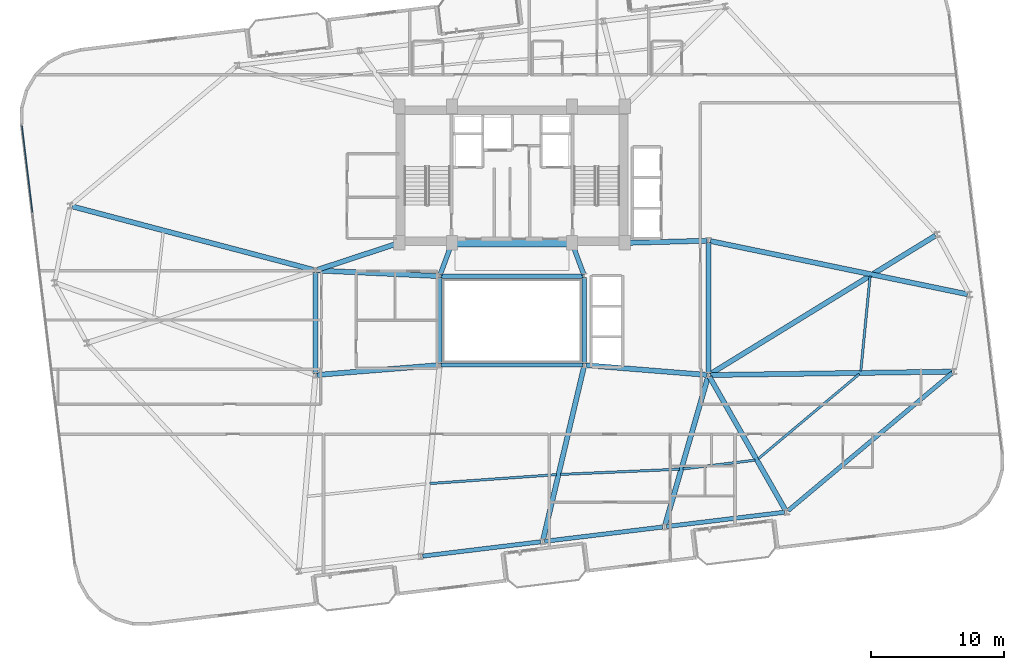
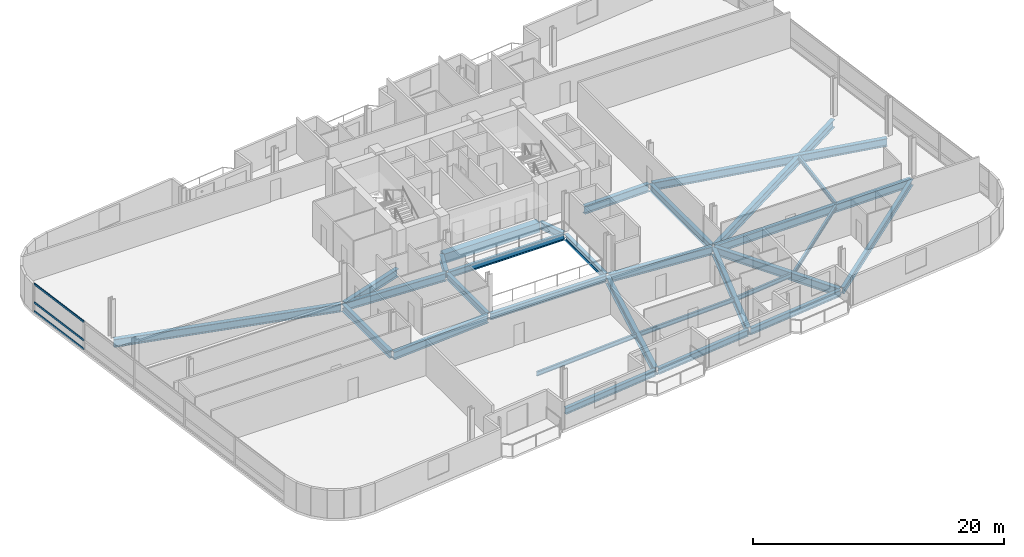
# One storey, part 7 of 22: 30 beams, 3 members, 1 element without a shape of its own.
"""IFC4 building model written with IfcOpenShell, lengths in metres."""

from ifc_helpers import new_model, si_unit, direction, frame, origin, origin_2d, place, context, subcontext, project, spatial, rectangle, hollow_rectangle, i_section, extrude, material, layer, layer_set, material_profile, profile_set, type_object, element, aggregate, save


model = new_model("IFC4")

# Units and contexts
model_context = context("Model", 3, precision=1e-05, world=origin(), true_north=direction((0.0, 1.0)))
body_context = subcontext(model_context, "Body", "Model", "MODEL_VIEW")
ifc_project = project(units=[si_unit("LENGTHUNIT", "METRE"), si_unit("AREAUNIT", "SQUARE_METRE"), si_unit("VOLUMEUNIT", "CUBIC_METRE"), si_unit("PLANEANGLEUNIT", "RADIAN"), si_unit("MASSUNIT", "GRAM", prefix="KILO")], contexts=[model_context])

# Site, building, storey
site_placement = place(None, origin())
site = spatial("IfcSite", under=ifc_project, at=site_placement, CompositionType="ELEMENT")
building_placement = place(site_placement, origin())
building = spatial("IfcBuilding", under=site, at=building_placement, Name="Varnelok Gate Tower", CompositionType="ELEMENT")
storey_placement = place(building_placement, frame((0.0, 0.0, 178.300048828125)))
storey = spatial("IfcBuildingStorey", under=building, at=storey_placement, Name="L45", CompositionType="ELEMENT", Elevation=178.300048828125)

# Beams
ifc_material_1 = material(Name="Structural Steel ASTM A992 Grade 50", Category="steel")
ifc_material_profile_1 = material_profile(ifc_material_1, i_section(OverallWidth=0.180908203125, OverallDepth=0.4169921875, WebThickness=0.010986328125, FlangeThickness=0.018310546875, FilletRadius=0.013916015625, at=origin_2d()), Name="W16X57")
ifc_profile_set_1 = profile_set([ifc_material_profile_1], Name="Structural Steel ASTM A992 Grade 50")
beam_type_1 = type_object("IfcBeamType", Name="BM-JST-W16X57", PredefinedType="JOIST", material=ifc_profile_set_1)
beam_1_placement = place(storey_placement, frame((33.00634765625, 10.62939453125, -0.45849609375), z_axis=(0.997546417642, 0.070008175598, 0.0), x_axis=(-0.070008175598, 0.997546417642, 0.0)))
element("IfcBeam", 1, at=beam_1_placement, inside=storey, type_object=beam_type_1, Name="L45 Sector Floor Joist 2", PredefinedType="JOIST", context=body_context, shape_type="SweptSolid", body=[
    extrude(i_section(OverallWidth=0.180908203125, OverallDepth=0.4169921875, WebThickness=0.010986328125, FlangeThickness=0.018310546875, FilletRadius=0.013916015625, at=origin_2d()), origin(), (0.0, 0.0, 1.0), 9.57958984375),
])
beam_2_placement = place(storey_placement, frame((42.841796875, 11.31591796875, -0.45849609375), z_axis=(0.99904059528, 0.043793709388, 0.0), x_axis=(-0.043793709388, 0.99904059528, 0.0)))
element("IfcBeam", 2, at=beam_2_placement, inside=storey, type_object=beam_type_1, Name="L45 Sector Floor Joist 3", PredefinedType="JOIST", context=body_context, shape_type="SweptSolid", body=[
    extrude(i_section(OverallWidth=0.180908203125, OverallDepth=0.4169921875, WebThickness=0.010986328125, FlangeThickness=0.018310546875, FilletRadius=0.013916015625, at=origin_2d()), origin(), (0.0, 0.0, 1.0), 8.975341796875),
])
beam_3_placement = place(storey_placement, frame((52.08740234375, 11.73193359375, -0.45849609375), z_axis=(0.992737021941, 0.120304635272, 0.0), x_axis=(-0.120304635272, 0.992737021941, 0.0)))
element("IfcBeam", 3, at=beam_3_placement, inside=storey, type_object=beam_type_1, Name="L45 Sector Floor Joist 4", PredefinedType="JOIST", context=body_context, shape_type="SweptSolid", body=[
    extrude(i_section(OverallWidth=0.180908203125, OverallDepth=0.4169921875, WebThickness=0.010986328125, FlangeThickness=0.018310546875, FilletRadius=0.013916015625, at=origin_2d()), origin(), (0.0, 0.0, 1.0), 5.454833984375),
])
beam_4_placement = place(storey_placement, frame((57.7490234375, 12.4951171875, -0.45849609375), z_axis=(0.76608872643, 0.642734831199, 0.0), x_axis=(-0.642734831199, 0.76608872643, 0.0)))
element("IfcBeam", 4, at=beam_4_placement, inside=storey, type_object=beam_type_1, Name="L45 Sector Floor Joist 5", PredefinedType="JOIST", context=body_context, shape_type="SweptSolid", body=[
    extrude(i_section(OverallWidth=0.180908203125, OverallDepth=0.4169921875, WebThickness=0.010986328125, FlangeThickness=0.018310546875, FilletRadius=0.013916015625, at=origin_2d()), origin(), (0.0, 0.0, 1.0), 9.919677734375),
])
beam_5_placement = place(storey_placement, frame((65.469482421875, 19.10009765625, -0.45849609375), z_axis=(0.097641950853, 0.995221608203, 0.0), x_axis=(-0.995221608203, 0.097641950853, 0.0)))
element("IfcBeam", 5, at=beam_5_placement, inside=storey, type_object=beam_type_1, Name="L45 Sector Floor Joist 6", PredefinedType="JOIST", context=body_context, shape_type="SweptSolid", body=[
    extrude(i_section(OverallWidth=0.180908203125, OverallDepth=0.4169921875, WebThickness=0.010986328125, FlangeThickness=0.018310546875, FilletRadius=0.013916015625, at=origin_2d()), origin(), (0.0, 0.0, 1.0), 7.193603515625),
])
ifc_material_2 = material(Name="Concrete C60/75", Category="concrete")
ifc_material_profile_2 = material_profile(ifc_material_2, rectangle(XDim=0.60009765625, YDim=0.949951171875, at=origin_2d()), Name="RC950X600")
ifc_profile_set_2 = profile_set([ifc_material_profile_2], Name="Concrete C60/75")
beam_type_2 = type_object("IfcBeamType", Name="BM-LNT-RC950", PredefinedType="LINTEL", material=ifc_profile_set_2)
beam_6_placement = place(storey_placement, frame((34.800048828125, 28.75, -0.72509765625), z_axis=(1.0, 0.0, 0.0), x_axis=(0.0, 1.0, 0.0)))
element("IfcBeam", 6, at=beam_6_placement, inside=storey, type_object=beam_type_2, Name="L45 Core-Atrium Spine Beam 7", PredefinedType="LINTEL", context=body_context, shape_type="SweptSolid", body=[
    extrude(rectangle(XDim=0.60009765625, YDim=0.949951171875, at=origin_2d()), origin(), (0.0, 0.0, 1.0), 8.800048828125),
])
ifc_material_profile_3 = material_profile(ifc_material_1, i_section(OverallWidth=0.35498046875, OverallDepth=0.696044921875, WebThickness=0.015380859375, FlangeThickness=0.02490234375, FilletRadius=0.02001953125, at=origin_2d()), Name="W27X146")
ifc_profile_set_3 = profile_set([ifc_material_profile_3], Name="Structural Steel ASTM A992 Grade 50")
beam_type_3 = type_object("IfcBeamType", Name="BM-PRI-W27X146", PredefinedType="BEAM", material=ifc_profile_set_3)
for number, where, z_axis, x_axis, name in (
    (7, (33.791748046875, 26.362548828125, -0.59814453125), (0.348719329408, 0.937227202602, 0.0), (-0.937227202602, 0.348719329408, 0.0), "L45 Core-Atrium Spine Beam 12"),
    (8, (44.608154296875, 26.362548828125, -0.59814453125), (-0.348719329408, 0.937227202602, 0.0), (-0.937227202602, -0.348719329408, 0.0), "L45 Core-Atrium Spine Beam 13"),
):
    element("IfcBeam", number, at=place(storey_placement, frame(where, z_axis=z_axis, x_axis=x_axis)), inside=storey, type_object=beam_type_3, Name=name, PredefinedType="BEAM", context=body_context, shape_type="SweptSolid", body=[
        extrude(i_section(OverallWidth=0.35498046875, OverallDepth=0.696044921875, WebThickness=0.015380859375, FlangeThickness=0.02490234375, FilletRadius=0.02001953125, at=origin_2d()), origin(), (0.0, 0.0, 1.0), 2.42724609375),
    ])
beam_7_placement = place(storey_placement, frame((24.39990234375, 18.919921875, -0.59814453125), z_axis=(0.0, 1.0, 0.0), x_axis=(-1.0, 0.0, 0.0)))
element("IfcBeam", 9, at=beam_7_placement, inside=storey, type_object=beam_type_3, Name="L45 Core-Atrium Spine Beam 16", PredefinedType="BEAM", context=body_context, shape_type="SweptSolid", body=[
    extrude(i_section(OverallWidth=0.35498046875, OverallDepth=0.696044921875, WebThickness=0.015380859375, FlangeThickness=0.02490234375, FilletRadius=0.02001953125, at=origin_2d()), origin(), (0.0, 0.0, 1.0), 7.64013671875),
])
beam_8_placement = place(storey_placement, frame((54.0, 18.919921875, -0.59814453125), z_axis=(0.0, 1.0, 0.0), x_axis=(-1.0, 0.0, 0.0)))
element("IfcBeam", 10, at=beam_8_placement, inside=storey, type_object=beam_type_3, Name="L45 Core-Atrium Spine Beam 20", PredefinedType="BEAM", context=body_context, shape_type="SweptSolid", body=[
    extrude(i_section(OverallWidth=0.35498046875, OverallDepth=0.696044921875, WebThickness=0.015380859375, FlangeThickness=0.02490234375, FilletRadius=0.02001953125, at=origin_2d()), origin(), (0.0, 0.0, 1.0), 9.880126953125),
])
ifc_material_profile_4 = material_profile(ifc_material_1, i_section(OverallWidth=0.381103515625, OverallDepth=0.77294921875, WebThickness=0.0166015625, FlangeThickness=0.027099609375, FilletRadius=0.02197265625, at=origin_2d()), Name="W30X173")
ifc_profile_set_4 = profile_set([ifc_material_profile_4], Name="Structural Steel ASTM A992 Grade 50")
beam_type_4 = type_object("IfcBeamType", Name="BM-PRI-W30X173", PredefinedType="BEAM", material=ifc_profile_set_4)
beam_9_placement = place(storey_placement, frame((24.51953125, 18.8095703125, -0.636474609375), z_axis=(0.996799206292, 0.07994587128, 0.0), x_axis=(-0.07994587128, 0.996799206292, 0.0)))
element("IfcBeam", 11, at=beam_9_placement, inside=storey, type_object=beam_type_4, Name="L45 Core-Atrium Spine Beam 14", PredefinedType="BEAM", context=body_context, shape_type="SweptSolid", body=[
    extrude(i_section(OverallWidth=0.381103515625, OverallDepth=0.77294921875, WebThickness=0.0166015625, FlangeThickness=0.027099609375, FilletRadius=0.02197265625, at=origin_2d()), origin(), (0.0, 0.0, 1.0), 9.14013671875),
])
beam_10_placement = place(storey_placement, frame((24.52001953125, 26.674560546875, -0.636474609375), z_axis=(0.99894427814, -0.045938319209, 0.0), x_axis=(0.045938319209, 0.99894427814, 0.0)))
element("IfcBeam", 12, at=beam_10_placement, inside=storey, type_object=beam_type_4, Name="L45 Core-Atrium Spine Beam 15", PredefinedType="BEAM", context=body_context, shape_type="SweptSolid", body=[
    extrude(i_section(OverallWidth=0.381103515625, OverallDepth=0.77294921875, WebThickness=0.0166015625, FlangeThickness=0.027099609375, FilletRadius=0.02197265625, at=origin_2d()), origin(), (0.0, 0.0, 1.0), 9.11962890625),
])
beam_11_placement = place(storey_placement, frame((24.513916015625, 26.717529296875, -0.636474609375), z_axis=(0.950041943788, 0.312122259768, 0.0), x_axis=(-0.312122259768, 0.950041943788, 0.0)))
element("IfcBeam", 13, at=beam_11_placement, inside=storey, type_object=beam_type_4, Name="L45 Core-Atrium Spine Beam 17", PredefinedType="BEAM", context=body_context, shape_type="SweptSolid", body=[
    extrude(i_section(OverallWidth=0.381103515625, OverallDepth=0.77294921875, WebThickness=0.0166015625, FlangeThickness=0.027099609375, FilletRadius=0.02197265625, at=origin_2d()), origin(), (0.0, 0.0, 1.0), 6.391357421875),
])
beam_12_placement = place(storey_placement, frame((44.76953125, 19.540283203125, -0.636474609375), z_axis=(0.996799206292, -0.07994587128, 0.0), x_axis=(0.07994587128, 0.996799206292, 0.0)))
element("IfcBeam", 14, at=beam_12_placement, inside=storey, type_object=beam_type_4, Name="L45 Core-Atrium Spine Beam 18", PredefinedType="BEAM", context=body_context, shape_type="SweptSolid", body=[
    extrude(i_section(OverallWidth=0.381103515625, OverallDepth=0.77294921875, WebThickness=0.0166015625, FlangeThickness=0.027099609375, FilletRadius=0.02197265625, at=origin_2d()), origin(), (0.0, 0.0, 1.0), 9.14013671875),
])
beam_13_placement = place(storey_placement, frame((47.820068359375, 28.753173828125, -0.636474609375), z_axis=(0.999635880609, 0.026983443053, 0.0), x_axis=(-0.026983443053, 0.999635880609, 0.0)))
element("IfcBeam", 15, at=beam_13_placement, inside=storey, type_object=beam_type_4, Name="L45 Core-Atrium Spine Beam 19", PredefinedType="BEAM", context=body_context, shape_type="SweptSolid", body=[
    extrude(i_section(OverallWidth=0.381103515625, OverallDepth=0.77294921875, WebThickness=0.0166015625, FlangeThickness=0.027099609375, FilletRadius=0.02197265625, at=origin_2d()), origin(), (0.0, 0.0, 1.0), 6.06201171875),
])
beam_14_placement = place(storey_placement, frame((44.615478515625, 19.404052734375, -0.636474609375), z_axis=(-0.230051892852, -0.973178363197, 0.0), x_axis=(0.973178363197, -0.230051892852, 0.0)))
element("IfcBeam", 16, at=beam_14_placement, inside=storey, type_object=beam_type_4, Name="L45 Radial Floor Girder 3", PredefinedType="BEAM", context=body_context, shape_type="SweptSolid", body=[
    extrude(i_section(OverallWidth=0.381103515625, OverallDepth=0.77294921875, WebThickness=0.0166015625, FlangeThickness=0.027099609375, FilletRadius=0.02197265625, at=origin_2d()), origin(), (0.0, 0.0, 1.0), 13.356689453125),
])
beam_15_placement = place(storey_placement, frame((53.958251953125, 18.656005859375, -0.636474609375), z_axis=(-0.278139351158, -0.960540733825, 0.0), x_axis=(0.960540733825, -0.278139351158, 0.0)))
element("IfcBeam", 17, at=beam_15_placement, inside=storey, type_object=beam_type_4, Name="L45 Radial Floor Girder 4", PredefinedType="BEAM", context=body_context, shape_type="SweptSolid", body=[
    extrude(i_section(OverallWidth=0.381103515625, OverallDepth=0.77294921875, WebThickness=0.0166015625, FlangeThickness=0.027099609375, FilletRadius=0.02197265625, at=origin_2d()), origin(), (0.0, 0.0, 1.0), 11.596923828125),
])
beam_16_placement = place(storey_placement, frame((54.07421875, 18.669677734375, -0.636474609375), z_axis=(0.494868053933, -0.868968128988, 0.0), x_axis=(0.868968128988, 0.494868053933, 0.0)))
element("IfcBeam", 18, at=beam_16_placement, inside=storey, type_object=beam_type_4, Name="L45 Radial Floor Girder 5", PredefinedType="BEAM", context=body_context, shape_type="SweptSolid", body=[
    extrude(i_section(OverallWidth=0.381103515625, OverallDepth=0.77294921875, WebThickness=0.0166015625, FlangeThickness=0.027099609375, FilletRadius=0.02197265625, at=origin_2d()), origin(), (0.0, 0.0, 1.0), 11.5693359375),
])
beam_17_placement = place(storey_placement, frame((54.14990234375, 18.802001953125, -0.636474609375), z_axis=(0.999901514109, 0.014034318056, 0.0), x_axis=(-0.014034318056, 0.999901514109, 0.0)))
element("IfcBeam", 19, at=beam_17_placement, inside=storey, type_object=beam_type_4, Name="L45 Radial Floor Girder 6", PredefinedType="BEAM", context=body_context, shape_type="SweptSolid", body=[
    extrude(i_section(OverallWidth=0.381103515625, OverallDepth=0.77294921875, WebThickness=0.0166015625, FlangeThickness=0.027099609375, FilletRadius=0.02197265625, at=origin_2d()), origin(), (0.0, 0.0, 1.0), 18.1787109375),
])
beam_18_placement = place(storey_placement, frame((54.14697265625, 28.8896484375, -0.636474609375), z_axis=(0.979255265667, -0.202630512665, 0.0), x_axis=(0.202630512665, 0.979255265667, 0.0)))
element("IfcBeam", 20, at=beam_18_placement, inside=storey, type_object=beam_type_4, Name="L45 Radial Floor Girder 7", PredefinedType="BEAM", context=body_context, shape_type="SweptSolid", body=[
    extrude(i_section(OverallWidth=0.381103515625, OverallDepth=0.77294921875, WebThickness=0.0166015625, FlangeThickness=0.027099609375, FilletRadius=0.02197265625, at=origin_2d()), origin(), (0.0, 0.0, 1.0), 19.7705078125),
])
beam_19_placement = place(storey_placement, frame((54.127685546875, 18.87841796875, -0.636474609375), z_axis=(0.852014595228, 0.523518031703, 0.0), x_axis=(-0.523518031703, 0.852014595228, 0.0)))
element("IfcBeam", 21, at=beam_19_placement, inside=storey, type_object=beam_type_4, Name="L45 Radial Floor Girder 8", PredefinedType="BEAM", context=body_context, shape_type="SweptSolid", body=[
    extrude(i_section(OverallWidth=0.381103515625, OverallDepth=0.77294921875, WebThickness=0.0166015625, FlangeThickness=0.027099609375, FilletRadius=0.02197265625, at=origin_2d()), origin(), (0.0, 0.0, 1.0), 19.917236328125),
])
beam_20_placement = place(storey_placement, frame((24.2548828125, 26.71826171875, -0.636474609375), z_axis=(-0.967098244451, 0.254403194908, 0.0), x_axis=(-0.254403194908, -0.967098244451, 0.0)))
element("IfcBeam", 22, at=beam_20_placement, inside=storey, type_object=beam_type_4, Name="L45 Radial Floor Girder 14", PredefinedType="BEAM", context=body_context, shape_type="SweptSolid", body=[
    extrude(i_section(OverallWidth=0.381103515625, OverallDepth=0.77294921875, WebThickness=0.0166015625, FlangeThickness=0.027099609375, FilletRadius=0.02197265625, at=origin_2d()), origin(), (0.0, 0.0, 1.0), 18.805419921875),
])
ifc_material_profile_5 = material_profile(ifc_material_1, i_section(OverallWidth=0.323974609375, OverallDepth=0.611083984375, WebThickness=0.0126953125, FlangeThickness=0.01904296875, FilletRadius=0.01806640625, at=origin_2d()), Name="W24X104")
ifc_profile_set_5 = profile_set([ifc_material_profile_5], Name="Structural Steel ASTM A992 Grade 50")
beam_type_5 = type_object("IfcBeamType", Name="BM-SPN-W24X104", PredefinedType="SPANDREL", material=ifc_profile_set_5)
for number, where, z_axis, x_axis, name in (
    (23, (33.8701171875, 19.550048828125, -0.5556640625), (1.0, 0.0, 0.0), (0.0, 1.0, 0.0), "L45 Core-Atrium Spine Beam 8"),
    (24, (33.8701171875, 26.25, -0.5556640625), (1.0, 0.0, 0.0), (0.0, 1.0, 0.0), "L45 Core-Atrium Spine Beam 9"),
):
    element("IfcBeam", number, at=place(storey_placement, frame(where, z_axis=z_axis, x_axis=x_axis)), inside=storey, type_object=beam_type_5, Name=name, PredefinedType="SPANDREL", context=body_context, shape_type="SweptSolid", body=[
        extrude(i_section(OverallWidth=0.323974609375, OverallDepth=0.611083984375, WebThickness=0.0126953125, FlangeThickness=0.01904296875, FilletRadius=0.01806640625, at=origin_2d()), origin(), (0.0, 0.0, 1.0), 10.659912109375),
    ])
for number, where, z_axis, x_axis, name in (
    (25, (33.75, 19.669921875, -0.5556640625), (0.0, 1.0, 0.0), (-1.0, 0.0, 0.0), "L45 Core-Atrium Spine Beam 10"),
    (26, (44.64990234375, 19.669921875, -0.5556640625), (0.0, 1.0, 0.0), (-1.0, 0.0, 0.0), "L45 Core-Atrium Spine Beam 11"),
):
    element("IfcBeam", number, at=place(storey_placement, frame(where, z_axis=z_axis, x_axis=x_axis)), inside=storey, type_object=beam_type_5, Name=name, PredefinedType="SPANDREL", context=body_context, shape_type="SweptSolid", body=[
        extrude(i_section(OverallWidth=0.323974609375, OverallDepth=0.611083984375, WebThickness=0.0126953125, FlangeThickness=0.01904296875, FilletRadius=0.01806640625, at=origin_2d()), origin(), (0.0, 0.0, 1.0), 6.4599609375),
    ])
for number, where, z_axis, x_axis, name in (
    (27, (32.474365234375, 5.164306640625, -0.5556640625), (0.992734670707, 0.120324035735, 0.0), (-0.120324035735, 0.992734670707, 0.0), "L45 Perimeter Spandrel Beam 2"),
    (28, (41.656982421875, 6.277587890625, -0.5556640625), (0.992734670707, 0.120324035735, 0.0), (-0.120324035735, 0.992734670707, 0.0), "L45 Perimeter Spandrel Beam 3"),
    (29, (50.83984375, 7.390625, -0.5556640625), (0.99273141198, 0.120350918849, 0.0), (-0.120350918849, 0.99273141198, 0.0), "L45 Perimeter Spandrel Beam 4"),
):
    element("IfcBeam", number, at=place(storey_placement, frame(where, z_axis=z_axis, x_axis=x_axis)), inside=storey, type_object=beam_type_5, Name=name, PredefinedType="SPANDREL", context=body_context, shape_type="SweptSolid", body=[
        extrude(i_section(OverallWidth=0.323974609375, OverallDepth=0.611083984375, WebThickness=0.0126953125, FlangeThickness=0.01904296875, FilletRadius=0.01806640625, at=origin_2d()), origin(), (0.0, 0.0, 1.0), 8.949951171875),
    ])
beam_21_placement = place(storey_placement, frame((59.98876953125, 8.582275390625, -0.5556640625), z_axis=(0.766099582792, 0.642721891059, 0.0), x_axis=(-0.642721891059, 0.766099582792, 0.0)))
element("IfcBeam", 30, at=beam_21_placement, inside=storey, type_object=beam_type_5, Name="L45 Perimeter Spandrel Beam 5", PredefinedType="SPANDREL", context=body_context, shape_type="SweptSolid", body=[
    extrude(i_section(OverallWidth=0.323974609375, OverallDepth=0.611083984375, WebThickness=0.0126953125, FlangeThickness=0.01904296875, FilletRadius=0.01806640625, at=origin_2d()), origin(), (0.0, 0.0, 1.0), 16.151123046875),
])

# Curtain wall, members
ifc_material_3 = material(Name="Anodized Aluminum Alloy 6063-T6", Category="aluminium")
ifc_layer = layer(ifc_material_3, 0.179931640625)
ifc_layer_set = layer_set([ifc_layer], Name="Anodized Aluminum Alloy 6063-T6")
curtain_wall_type = type_object("IfcCurtainWallType", Name="CW4-RESIDENCE-VISION", PredefinedType="USERDEFINED", material=ifc_layer_set)
curtain_wall_placement = place(storey_placement, origin())
curtain_wall = element("IfcCurtainWall", 31, at=curtain_wall_placement, inside=storey, type_object=curtain_wall_type, Name="L45 West End Vision Curtain Wall", ObjectType="UNITISED CURTAIN WALL", PredefinedType="USERDEFINED")
ifc_material_profile_6 = material_profile(ifc_material_3, hollow_rectangle(XDim=0.074951171875, YDim=0.199951171875, WallThickness=0.00390625, at=origin_2d()), Name="ALU200X75X4")
ifc_profile_set_6 = profile_set([ifc_material_profile_6], Name="Anodized Aluminum Alloy 6063-T6")
member_type = type_object("IfcMemberType", Name="CW-TRAN-200", PredefinedType="USERDEFINED", material=ifc_profile_set_6)
member_1_placement = place(storey_placement, frame((3.085205078125, 31.052978515625, 0.037353515625), z_axis=(-0.120332477695, 0.992733647466, 0.0), x_axis=(-0.992733647466, -0.120332477695, 0.0)))
member_1 = element("IfcMember", 32, at=member_1_placement, type_object=member_type, Name="CW4 transom 5.1", ObjectType="TRANSOM", PredefinedType="USERDEFINED", context=body_context, shape_type="SweptSolid", body=[
    extrude(hollow_rectangle(XDim=0.074951171875, YDim=0.199951171875, WallThickness=0.00390625, at=origin_2d()), origin(), (0.0, 0.0, 1.0), 6.5673828125),
])
member_2_placement = place(storey_placement, frame((3.085205078125, 31.052978515625, 0.89990234375), z_axis=(-0.120332477695, 0.992733647466, 0.0), x_axis=(-0.992733647466, -0.120332477695, 0.0)))
member_2 = element("IfcMember", 33, at=member_2_placement, type_object=member_type, Name="CW4 transom 5.2", ObjectType="TRANSOM", PredefinedType="USERDEFINED", context=body_context, shape_type="SweptSolid", body=[
    extrude(hollow_rectangle(XDim=0.074951171875, YDim=0.199951171875, WallThickness=0.00390625, at=origin_2d()), origin(), (0.0, 0.0, 1.0), 6.5673828125),
])
member_3_placement = place(storey_placement, frame((3.085205078125, 31.052978515625, 2.6923828125), z_axis=(-0.120332477695, 0.992733647466, 0.0), x_axis=(-0.992733647466, -0.120332477695, 0.0)))
member_3 = element("IfcMember", 34, at=member_3_placement, type_object=member_type, Name="CW4 transom 5.3", ObjectType="TRANSOM", PredefinedType="USERDEFINED", context=body_context, shape_type="SweptSolid", body=[
    extrude(hollow_rectangle(XDim=0.074951171875, YDim=0.199951171875, WallThickness=0.00390625, at=origin_2d()), origin(), (0.0, 0.0, 1.0), 6.5673828125),
])
aggregate(curtain_wall, [member_1, member_2, member_3])

save(model, "model.ifc")
